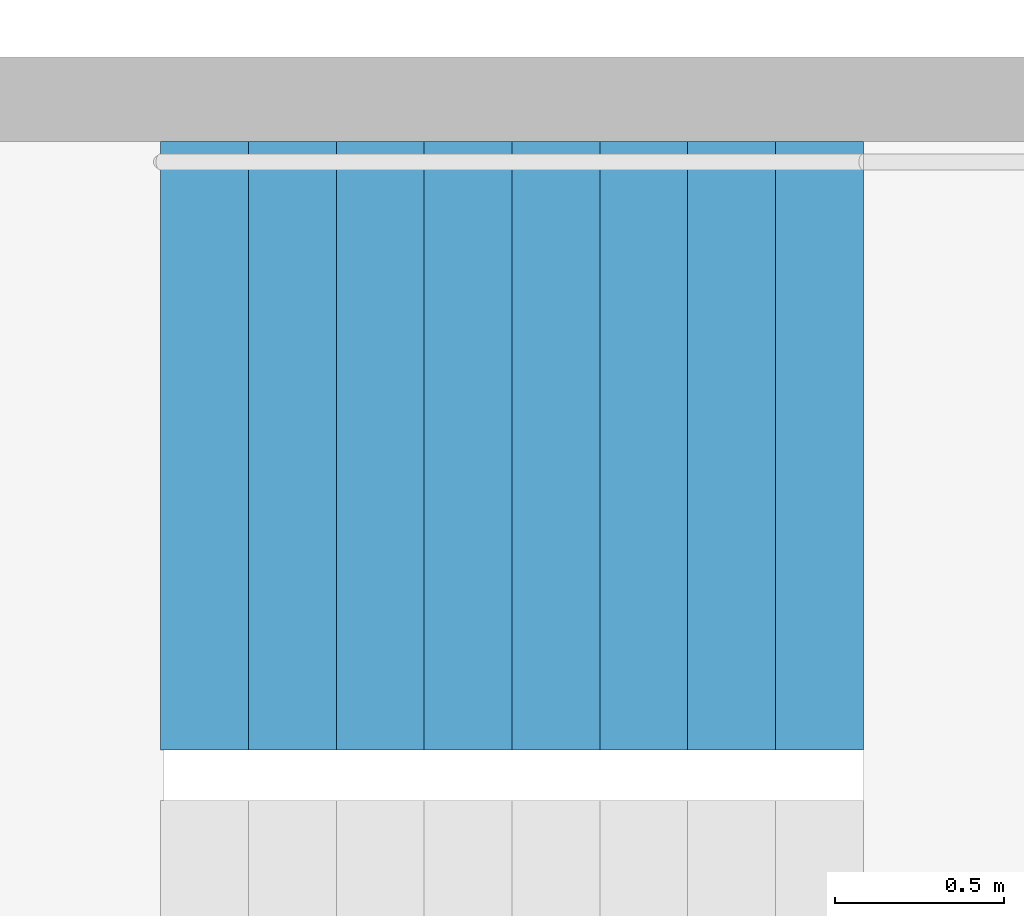
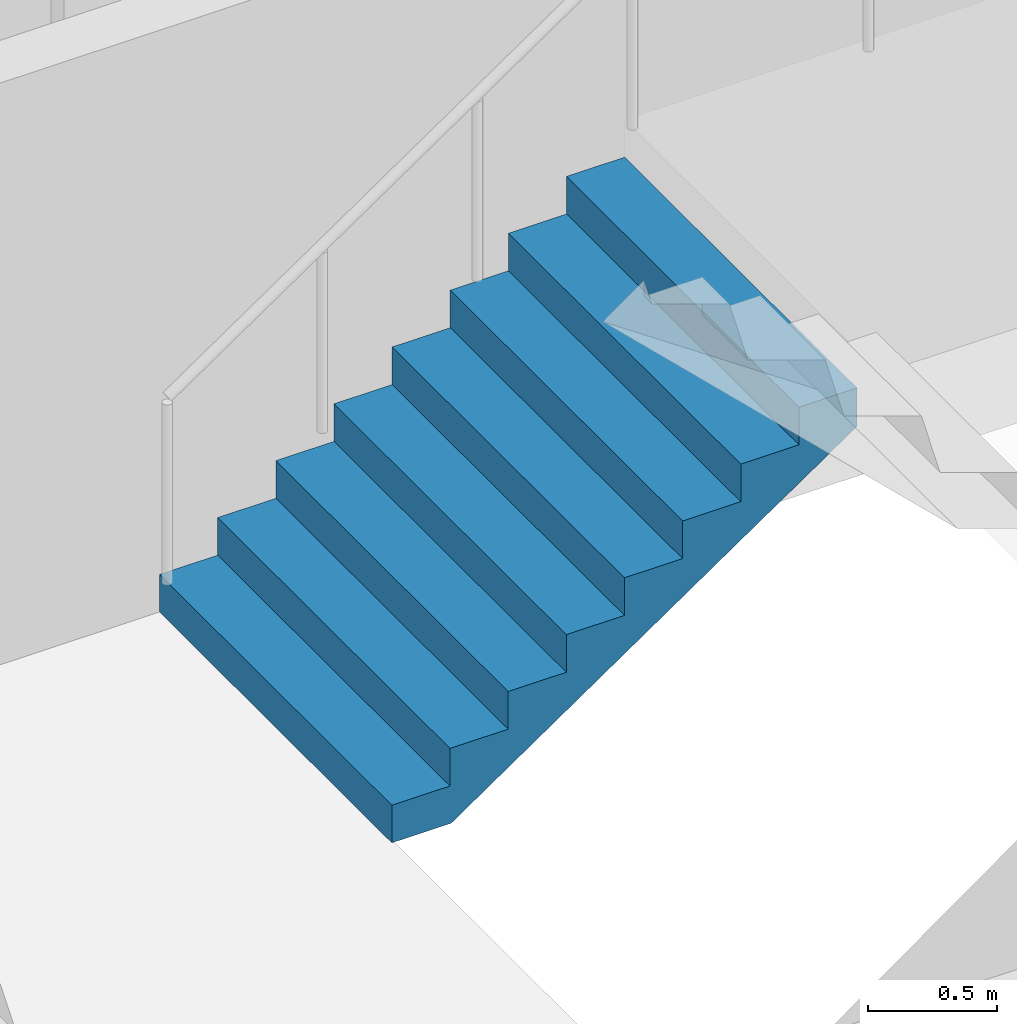
# One storey, part 23 of 26: 1 stair flight, 1 element without a shape of its own.
"""IFC4 building model written with IfcOpenShell, lengths in metres."""

from ifc_helpers import new_model, si_unit, direction, frame, origin, place, context, subcontext, project, spatial, triangles, material, type_object, element, aggregate, save


model = new_model("IFC4")

# Units and contexts
model_context = context("Model", 3, precision=1e-05, world=origin(), true_north=direction((0.0, 1.0)))
body_context = subcontext(model_context, "Body", "Model", "MODEL_VIEW")
ifc_project = project(units=[si_unit("LENGTHUNIT", "METRE"), si_unit("AREAUNIT", "SQUARE_METRE"), si_unit("VOLUMEUNIT", "CUBIC_METRE"), si_unit("PLANEANGLEUNIT", "RADIAN"), si_unit("MASSUNIT", "GRAM", prefix="KILO")], contexts=[model_context])

# Site, building, storey
site_placement = place(None, origin())
site = spatial("IfcSite", under=ifc_project, at=site_placement, CompositionType="ELEMENT")
building_placement = place(site_placement, origin())
building = spatial("IfcBuilding", under=site, at=building_placement, Name="Hakoniwa Tower and Hamabe Station Hall", CompositionType="ELEMENT")
storey_placement = place(building_placement, frame((0.0, 0.0, 221.800048828125)))
storey = spatial("IfcBuildingStorey", under=building, at=storey_placement, Name="L63", CompositionType="ELEMENT", Elevation=221.800048828125)

# Stair, stair flight
ifc_material_1 = material(Name="Concrete C40", Category="concrete")
stair_type = type_object("IfcStairType", Name="ESCAPE STAIR 1800", PredefinedType="HALF_TURN_STAIR", material=ifc_material_1)
stair_placement = place(storey_placement, origin())
stair = element("IfcStair", 1, at=stair_placement, inside=storey, type_object=stair_type, Name="Escape stair ST-4 L63", PredefinedType="HALF_TURN_STAIR")
ifc_material_2 = material(Name="Concrete C40", Category="concrete")
stair_flight_type = type_object("IfcStairFlightType", Name="STAIR FLIGHT 1800", PredefinedType="STRAIGHT", material=ifc_material_2)
stair_flight_placement = place(storey_placement, frame((23.39990234375, -4.64990234375, 0.0), z_axis=(0.0, 0.0, 1.0), x_axis=(1.0, 0.0, 0.0)))
stair_flight = element("IfcStairFlight", 2, at=stair_flight_placement, type_object=stair_flight_type, Name="ST-4 flight 1", NumberOfRisers=9, NumberOfTreads=8, PredefinedType="STRAIGHT", RiserHeight=0.177777778, TreadLength=0.26, context=body_context, shape_type="Tessellation", body=[
    triangles([(0.0, 0.89990234375, 0.0), (0.260009765625, 0.89990234375, 0.0), (0.265625, 0.89990234375, 0.0), (0.52001953125, 0.89990234375, 0.174072265625), (0.780029296875, 0.89990234375, 0.351806640625), (1.0400390625, 0.89990234375, 0.529541015625), (1.300048828125, 0.89990234375, 0.707275390625), (1.56005859375, 0.89990234375, 0.885009765625), (1.820068359375, 0.89990234375, 1.062744140625), (2.080078125, 0.89990234375, 1.24072265625), (2.080078125, 0.89990234375, 1.422119140625), (1.820068359375, 0.89990234375, 1.422119140625), (1.820068359375, 0.89990234375, 1.244384765625), (1.56005859375, 0.89990234375, 1.244384765625), (1.56005859375, 0.89990234375, 1.066650390625), (1.300048828125, 0.89990234375, 1.066650390625), (1.300048828125, 0.89990234375, 0.888916015625), (1.0400390625, 0.89990234375, 0.888916015625), (1.0400390625, 0.89990234375, 0.711181640625), (0.780029296875, 0.89990234375, 0.711181640625), (0.780029296875, 0.89990234375, 0.533447265625), (0.52001953125, 0.89990234375, 0.533447265625), (0.52001953125, 0.89990234375, 0.35546875), (0.265625, 0.89990234375, 0.35546875), (0.260009765625, 0.89990234375, 0.35546875), (0.260009765625, 0.89990234375, 0.177734375), (0.0, 0.89990234375, 0.177734375), (0.0, 0.06005859375, 0.0), (0.260009765625, 0.06005859375, 0.0), (0.265625, 0.06005859375, 0.0), (0.52001953125, 0.06005859375, 0.174072265625), (0.780029296875, 0.06005859375, 0.351806640625), (1.0400390625, 0.06005859375, 0.529541015625), (1.300048828125, 0.06005859375, 0.707275390625), (1.56005859375, 0.06005859375, 0.885009765625), (1.820068359375, 0.06005859375, 1.062744140625), (2.080078125, 0.06005859375, 1.24072265625), (2.080078125, 0.06005859375, 1.422119140625), (1.820068359375, 0.06005859375, 1.422119140625), (1.820068359375, 0.06005859375, 1.244384765625), (1.56005859375, 0.06005859375, 1.244384765625), (1.56005859375, 0.06005859375, 1.066650390625), (1.300048828125, 0.06005859375, 1.066650390625), (1.300048828125, 0.06005859375, 0.888916015625), (1.0400390625, 0.06005859375, 0.888916015625), (1.0400390625, 0.06005859375, 0.711181640625), (0.780029296875, 0.06005859375, 0.711181640625), (0.780029296875, 0.06005859375, 0.533447265625), (0.52001953125, 0.06005859375, 0.533447265625), (0.52001953125, 0.06005859375, 0.35546875), (0.265625, 0.06005859375, 0.35546875), (0.260009765625, 0.06005859375, 0.35546875), (0.260009765625, 0.06005859375, 0.177734375), (0.0, 0.06005859375, 0.177734375), (0.0, 0.04296875, 0.0), (0.260009765625, 0.04296875, 0.0), (0.265625, 0.04296875, 0.0), (0.52001953125, 0.04296875, 0.174072265625), (0.780029296875, 0.04296875, 0.351806640625), (1.0400390625, 0.04296875, 0.529541015625), (1.300048828125, 0.04296875, 0.707275390625), (1.56005859375, 0.04296875, 0.885009765625), (1.820068359375, 0.04296875, 1.062744140625), (2.080078125, 0.04296875, 1.24072265625), (2.080078125, 0.04296875, 1.422119140625), (1.820068359375, 0.04296875, 1.422119140625), (1.820068359375, 0.04296875, 1.244384765625), (1.56005859375, 0.04296875, 1.244384765625), (1.56005859375, 0.04296875, 1.066650390625), (1.300048828125, 0.04296875, 1.066650390625), (1.300048828125, 0.04296875, 0.888916015625), (1.0400390625, 0.04296875, 0.888916015625), (1.0400390625, 0.04296875, 0.711181640625), (0.780029296875, 0.04296875, 0.711181640625), (0.780029296875, 0.04296875, 0.533447265625), (0.52001953125, 0.04296875, 0.533447265625), (0.52001953125, 0.04296875, 0.35546875), (0.265625, 0.04296875, 0.35546875), (0.260009765625, 0.04296875, 0.35546875), (0.260009765625, 0.04296875, 0.177734375), (0.0, 0.04296875, 0.177734375), (0.0, 0.025634765625, 0.0), (0.260009765625, 0.025634765625, 0.0), (0.265625, 0.025634765625, 0.0), (0.52001953125, 0.025634765625, 0.174072265625), (0.780029296875, 0.025634765625, 0.351806640625), (1.0400390625, 0.025634765625, 0.529541015625), (1.300048828125, 0.025634765625, 0.707275390625), (1.56005859375, 0.025634765625, 0.885009765625), (1.820068359375, 0.025634765625, 1.062744140625), (2.080078125, 0.025634765625, 1.24072265625), (2.080078125, 0.025634765625, 1.422119140625), (1.820068359375, 0.025634765625, 1.422119140625), (1.820068359375, 0.025634765625, 1.244384765625), (1.56005859375, 0.025634765625, 1.244384765625), (1.56005859375, 0.025634765625, 1.066650390625), (1.300048828125, 0.025634765625, 1.066650390625), (1.300048828125, 0.025634765625, 0.888916015625), (1.0400390625, 0.025634765625, 0.888916015625), (1.0400390625, 0.025634765625, 0.711181640625), (0.780029296875, 0.025634765625, 0.711181640625), (0.780029296875, 0.025634765625, 0.533447265625), (0.52001953125, 0.025634765625, 0.533447265625), (0.52001953125, 0.025634765625, 0.35546875), (0.265625, 0.025634765625, 0.35546875), (0.260009765625, 0.025634765625, 0.35546875), (0.260009765625, 0.025634765625, 0.177734375), (0.0, 0.025634765625, 0.177734375), (0.0, 0.008544921875, 0.0), (0.260009765625, 0.008544921875, 0.0), (0.265625, 0.008544921875, 0.0), (0.52001953125, 0.008544921875, 0.174072265625), (0.780029296875, 0.008544921875, 0.351806640625), (1.0400390625, 0.008544921875, 0.529541015625), (1.300048828125, 0.008544921875, 0.707275390625), (1.56005859375, 0.008544921875, 0.885009765625), (1.820068359375, 0.008544921875, 1.062744140625), (2.080078125, 0.008544921875, 1.24072265625), (2.080078125, 0.008544921875, 1.422119140625), (1.820068359375, 0.008544921875, 1.422119140625), (1.820068359375, 0.008544921875, 1.244384765625), (1.56005859375, 0.008544921875, 1.244384765625), (1.56005859375, 0.008544921875, 1.066650390625), (1.300048828125, 0.008544921875, 1.066650390625), (1.300048828125, 0.008544921875, 0.888916015625), (1.0400390625, 0.008544921875, 0.888916015625), (1.0400390625, 0.008544921875, 0.711181640625), (0.780029296875, 0.008544921875, 0.711181640625), (0.780029296875, 0.008544921875, 0.533447265625), (0.52001953125, 0.008544921875, 0.533447265625), (0.52001953125, 0.008544921875, 0.35546875), (0.265625, 0.008544921875, 0.35546875), (0.260009765625, 0.008544921875, 0.35546875), (0.260009765625, 0.008544921875, 0.177734375), (0.0, 0.008544921875, 0.177734375), (0.0, -0.008544921875, 0.0), (0.260009765625, -0.008544921875, 0.0), (0.265625, -0.008544921875, 0.0), (0.52001953125, -0.008544921875, 0.174072265625), (0.780029296875, -0.008544921875, 0.351806640625), (1.0400390625, -0.008544921875, 0.529541015625), (1.300048828125, -0.008544921875, 0.707275390625), (1.56005859375, -0.008544921875, 0.885009765625), (1.820068359375, -0.008544921875, 1.062744140625), (2.080078125, -0.008544921875, 1.24072265625), (2.080078125, -0.008544921875, 1.422119140625), (1.820068359375, -0.008544921875, 1.422119140625), (1.820068359375, -0.008544921875, 1.244384765625), (1.56005859375, -0.008544921875, 1.244384765625), (1.56005859375, -0.008544921875, 1.066650390625), (1.300048828125, -0.008544921875, 1.066650390625), (1.300048828125, -0.008544921875, 0.888916015625), (1.0400390625, -0.008544921875, 0.888916015625), (1.0400390625, -0.008544921875, 0.711181640625), (0.780029296875, -0.008544921875, 0.711181640625), (0.780029296875, -0.008544921875, 0.533447265625), (0.52001953125, -0.008544921875, 0.533447265625), (0.52001953125, -0.008544921875, 0.35546875), (0.265625, -0.008544921875, 0.35546875), (0.260009765625, -0.008544921875, 0.35546875), (0.260009765625, -0.008544921875, 0.177734375), (0.0, -0.008544921875, 0.177734375), (0.0, -0.025634765625, 0.0), (0.260009765625, -0.025634765625, 0.0), (0.265625, -0.025634765625, 0.0), (0.52001953125, -0.025634765625, 0.174072265625), (0.780029296875, -0.025634765625, 0.351806640625), (1.0400390625, -0.025634765625, 0.529541015625), (1.300048828125, -0.025634765625, 0.707275390625), (1.56005859375, -0.025634765625, 0.885009765625), (1.820068359375, -0.025634765625, 1.062744140625), (2.080078125, -0.025634765625, 1.24072265625), (2.080078125, -0.025634765625, 1.422119140625), (1.820068359375, -0.025634765625, 1.422119140625), (1.820068359375, -0.025634765625, 1.244384765625), (1.56005859375, -0.025634765625, 1.244384765625), (1.56005859375, -0.025634765625, 1.066650390625), (1.300048828125, -0.025634765625, 1.066650390625), (1.300048828125, -0.025634765625, 0.888916015625), (1.0400390625, -0.025634765625, 0.888916015625), (1.0400390625, -0.025634765625, 0.711181640625), (0.780029296875, -0.025634765625, 0.711181640625), (0.780029296875, -0.025634765625, 0.533447265625), (0.52001953125, -0.025634765625, 0.533447265625), (0.52001953125, -0.025634765625, 0.35546875), (0.265625, -0.025634765625, 0.35546875), (0.260009765625, -0.025634765625, 0.35546875), (0.260009765625, -0.025634765625, 0.177734375), (0.0, -0.025634765625, 0.177734375), (0.0, -0.04296875, 0.0), (0.260009765625, -0.04296875, 0.0), (0.265625, -0.04296875, 0.0), (0.52001953125, -0.04296875, 0.174072265625), (0.780029296875, -0.04296875, 0.351806640625), (1.0400390625, -0.04296875, 0.529541015625), (1.300048828125, -0.04296875, 0.707275390625), (1.56005859375, -0.04296875, 0.885009765625), (1.820068359375, -0.04296875, 1.062744140625), (2.080078125, -0.04296875, 1.24072265625), (2.080078125, -0.04296875, 1.422119140625), (1.820068359375, -0.04296875, 1.422119140625), (1.820068359375, -0.04296875, 1.244384765625), (1.56005859375, -0.04296875, 1.244384765625), (1.56005859375, -0.04296875, 1.066650390625), (1.300048828125, -0.04296875, 1.066650390625), (1.300048828125, -0.04296875, 0.888916015625), (1.0400390625, -0.04296875, 0.888916015625), (1.0400390625, -0.04296875, 0.711181640625), (0.780029296875, -0.04296875, 0.711181640625), (0.780029296875, -0.04296875, 0.533447265625), (0.52001953125, -0.04296875, 0.533447265625), (0.52001953125, -0.04296875, 0.35546875), (0.265625, -0.04296875, 0.35546875), (0.260009765625, -0.04296875, 0.35546875), (0.260009765625, -0.04296875, 0.177734375), (0.0, -0.04296875, 0.177734375), (0.0, -0.06005859375, 0.0), (0.260009765625, -0.06005859375, 0.0), (0.265625, -0.06005859375, 0.0), (0.52001953125, -0.06005859375, 0.174072265625), (0.780029296875, -0.06005859375, 0.351806640625), (1.0400390625, -0.06005859375, 0.529541015625), (1.300048828125, -0.06005859375, 0.707275390625), (1.56005859375, -0.06005859375, 0.885009765625), (1.820068359375, -0.06005859375, 1.062744140625), (2.080078125, -0.06005859375, 1.24072265625), (2.080078125, -0.06005859375, 1.422119140625), (1.820068359375, -0.06005859375, 1.422119140625), (1.820068359375, -0.06005859375, 1.244384765625), (1.56005859375, -0.06005859375, 1.244384765625), (1.56005859375, -0.06005859375, 1.066650390625), (1.300048828125, -0.06005859375, 1.066650390625), (1.300048828125, -0.06005859375, 0.888916015625), (1.0400390625, -0.06005859375, 0.888916015625), (1.0400390625, -0.06005859375, 0.711181640625), (0.780029296875, -0.06005859375, 0.711181640625), (0.780029296875, -0.06005859375, 0.533447265625), (0.52001953125, -0.06005859375, 0.533447265625), (0.52001953125, -0.06005859375, 0.35546875), (0.265625, -0.06005859375, 0.35546875), (0.260009765625, -0.06005859375, 0.35546875), (0.260009765625, -0.06005859375, 0.177734375), (0.0, -0.06005859375, 0.177734375), (0.0, -0.89990234375, 0.0), (0.260009765625, -0.89990234375, 0.0), (0.265625, -0.89990234375, 0.0), (0.52001953125, -0.89990234375, 0.174072265625), (0.780029296875, -0.89990234375, 0.351806640625), (1.0400390625, -0.89990234375, 0.529541015625), (1.300048828125, -0.89990234375, 0.707275390625), (1.56005859375, -0.89990234375, 0.885009765625), (1.820068359375, -0.89990234375, 1.062744140625), (2.080078125, -0.89990234375, 1.24072265625), (2.080078125, -0.89990234375, 1.422119140625), (1.820068359375, -0.89990234375, 1.422119140625), (1.820068359375, -0.89990234375, 1.244384765625), (1.56005859375, -0.89990234375, 1.244384765625), (1.56005859375, -0.89990234375, 1.066650390625), (1.300048828125, -0.89990234375, 1.066650390625), (1.300048828125, -0.89990234375, 0.888916015625), (1.0400390625, -0.89990234375, 0.888916015625), (1.0400390625, -0.89990234375, 0.711181640625), (0.780029296875, -0.89990234375, 0.711181640625), (0.780029296875, -0.89990234375, 0.533447265625), (0.52001953125, -0.89990234375, 0.533447265625), (0.52001953125, -0.89990234375, 0.35546875), (0.265625, -0.89990234375, 0.35546875), (0.260009765625, -0.89990234375, 0.35546875), (0.260009765625, -0.89990234375, 0.177734375), (0.0, -0.89990234375, 0.177734375)], [[2, 27, 26], [245, 269, 270], [2, 1, 27], [245, 270, 244], [3, 25, 24], [246, 267, 268], [3, 26, 25], [246, 268, 269], [3, 2, 26], [246, 269, 245], [4, 24, 23], [247, 266, 267], [4, 3, 24], [247, 267, 246], [5, 22, 21], [248, 264, 265], [5, 23, 22], [248, 265, 266], [5, 4, 23], [248, 266, 247], [6, 20, 19], [249, 262, 263], [6, 21, 20], [249, 263, 264], [6, 5, 21], [249, 264, 248], [7, 18, 17], [250, 260, 261], [7, 19, 18], [250, 261, 262], [7, 6, 19], [250, 262, 249], [8, 16, 15], [251, 258, 259], [8, 17, 16], [251, 259, 260], [8, 7, 17], [251, 260, 250], [9, 14, 13], [252, 256, 257], [9, 15, 14], [252, 257, 258], [9, 8, 15], [252, 258, 251], [10, 12, 11], [253, 254, 255], [10, 13, 12], [253, 255, 256], [10, 9, 13], [253, 256, 252], [1, 2, 29], [1, 29, 28], [28, 29, 56], [28, 56, 55], [55, 56, 83], [55, 83, 82], [82, 83, 110], [82, 110, 109], [109, 110, 137], [109, 137, 136], [136, 137, 164], [136, 164, 163], [163, 164, 191], [163, 191, 190], [190, 191, 218], [190, 218, 217], [217, 218, 245], [217, 245, 244], [2, 3, 30], [2, 30, 29], [29, 30, 57], [29, 57, 56], [56, 57, 84], [56, 84, 83], [83, 84, 111], [83, 111, 110], [110, 111, 138], [110, 138, 137], [137, 138, 165], [137, 165, 164], [164, 165, 192], [164, 192, 191], [191, 192, 219], [191, 219, 218], [218, 219, 246], [218, 246, 245], [3, 4, 31], [3, 31, 30], [30, 31, 58], [30, 58, 57], [57, 58, 85], [57, 85, 84], [84, 85, 112], [84, 112, 111], [111, 112, 139], [111, 139, 138], [138, 139, 166], [138, 166, 165], [165, 166, 193], [165, 193, 192], [192, 193, 220], [192, 220, 219], [219, 220, 247], [219, 247, 246], [4, 5, 32], [4, 32, 31], [31, 32, 59], [31, 59, 58], [58, 59, 86], [58, 86, 85], [85, 86, 113], [85, 113, 112], [112, 113, 140], [112, 140, 139], [139, 140, 167], [139, 167, 166], [166, 167, 194], [166, 194, 193], [193, 194, 221], [193, 221, 220], [220, 221, 248], [220, 248, 247], [5, 6, 33], [5, 33, 32], [32, 33, 60], [32, 60, 59], [59, 60, 87], [59, 87, 86], [86, 87, 114], [86, 114, 113], [113, 114, 141], [113, 141, 140], [140, 141, 168], [140, 168, 167], [167, 168, 195], [167, 195, 194], [194, 195, 222], [194, 222, 221], [221, 222, 249], [221, 249, 248], [6, 7, 34], [6, 34, 33], [33, 34, 61], [33, 61, 60], [60, 61, 88], [60, 88, 87], [87, 88, 115], [87, 115, 114], [114, 115, 142], [114, 142, 141], [141, 142, 169], [141, 169, 168], [168, 169, 196], [168, 196, 195], [195, 196, 223], [195, 223, 222], [222, 223, 250], [222, 250, 249], [7, 8, 35], [7, 35, 34], [34, 35, 62], [34, 62, 61], [61, 62, 89], [61, 89, 88], [88, 89, 116], [88, 116, 115], [115, 116, 143], [115, 143, 142], [142, 143, 170], [142, 170, 169], [169, 170, 197], [169, 197, 196], [196, 197, 224], [196, 224, 223], [223, 224, 251], [223, 251, 250], [8, 9, 36], [8, 36, 35], [35, 36, 63], [35, 63, 62], [62, 63, 90], [62, 90, 89], [89, 90, 117], [89, 117, 116], [116, 117, 144], [116, 144, 143], [143, 144, 171], [143, 171, 170], [170, 171, 198], [170, 198, 197], [197, 198, 225], [197, 225, 224], [224, 225, 252], [224, 252, 251], [9, 10, 37], [9, 37, 36], [36, 37, 64], [36, 64, 63], [63, 64, 91], [63, 91, 90], [90, 91, 118], [90, 118, 117], [117, 118, 145], [117, 145, 144], [144, 145, 172], [144, 172, 171], [171, 172, 199], [171, 199, 198], [198, 199, 226], [198, 226, 225], [225, 226, 253], [225, 253, 252], [10, 11, 38], [10, 38, 37], [37, 38, 65], [37, 65, 64], [64, 65, 92], [64, 92, 91], [91, 92, 119], [91, 119, 118], [118, 119, 146], [118, 146, 145], [145, 146, 173], [145, 173, 172], [172, 173, 200], [172, 200, 199], [199, 200, 227], [199, 227, 226], [226, 227, 254], [226, 254, 253], [11, 12, 39], [11, 39, 38], [38, 39, 66], [38, 66, 65], [65, 66, 93], [65, 93, 92], [92, 93, 120], [92, 120, 119], [119, 120, 147], [119, 147, 146], [146, 147, 174], [146, 174, 173], [173, 174, 201], [173, 201, 200], [200, 201, 228], [200, 228, 227], [227, 228, 255], [227, 255, 254], [12, 13, 40], [12, 40, 39], [39, 40, 67], [39, 67, 66], [66, 67, 94], [66, 94, 93], [93, 94, 121], [93, 121, 120], [120, 121, 148], [120, 148, 147], [147, 148, 175], [147, 175, 174], [174, 175, 202], [174, 202, 201], [201, 202, 229], [201, 229, 228], [228, 229, 256], [228, 256, 255], [13, 14, 41], [13, 41, 40], [40, 41, 68], [40, 68, 67], [67, 68, 95], [67, 95, 94], [94, 95, 122], [94, 122, 121], [121, 122, 149], [121, 149, 148], [148, 149, 176], [148, 176, 175], [175, 176, 203], [175, 203, 202], [202, 203, 230], [202, 230, 229], [229, 230, 257], [229, 257, 256], [14, 15, 42], [14, 42, 41], [41, 42, 69], [41, 69, 68], [68, 69, 96], [68, 96, 95], [95, 96, 123], [95, 123, 122], [122, 123, 150], [122, 150, 149], [149, 150, 177], [149, 177, 176], [176, 177, 204], [176, 204, 203], [203, 204, 231], [203, 231, 230], [230, 231, 258], [230, 258, 257], [15, 16, 43], [15, 43, 42], [42, 43, 70], [42, 70, 69], [69, 70, 97], [69, 97, 96], [96, 97, 124], [96, 124, 123], [123, 124, 151], [123, 151, 150], [150, 151, 178], [150, 178, 177], [177, 178, 205], [177, 205, 204], [204, 205, 232], [204, 232, 231], [231, 232, 259], [231, 259, 258], [16, 17, 44], [16, 44, 43], [43, 44, 71], [43, 71, 70], [70, 71, 98], [70, 98, 97], [97, 98, 125], [97, 125, 124], [124, 125, 152], [124, 152, 151], [151, 152, 179], [151, 179, 178], [178, 179, 206], [178, 206, 205], [205, 206, 233], [205, 233, 232], [232, 233, 260], [232, 260, 259], [17, 18, 45], [17, 45, 44], [44, 45, 72], [44, 72, 71], [71, 72, 99], [71, 99, 98], [98, 99, 126], [98, 126, 125], [125, 126, 153], [125, 153, 152], [152, 153, 180], [152, 180, 179], [179, 180, 207], [179, 207, 206], [206, 207, 234], [206, 234, 233], [233, 234, 261], [233, 261, 260], [18, 19, 46], [18, 46, 45], [45, 46, 73], [45, 73, 72], [72, 73, 100], [72, 100, 99], [99, 100, 127], [99, 127, 126], [126, 127, 154], [126, 154, 153], [153, 154, 181], [153, 181, 180], [180, 181, 208], [180, 208, 207], [207, 208, 235], [207, 235, 234], [234, 235, 262], [234, 262, 261], [19, 20, 47], [19, 47, 46], [46, 47, 74], [46, 74, 73], [73, 74, 101], [73, 101, 100], [100, 101, 128], [100, 128, 127], [127, 128, 155], [127, 155, 154], [154, 155, 182], [154, 182, 181], [181, 182, 209], [181, 209, 208], [208, 209, 236], [208, 236, 235], [235, 236, 263], [235, 263, 262], [20, 21, 48], [20, 48, 47], [47, 48, 75], [47, 75, 74], [74, 75, 102], [74, 102, 101], [101, 102, 129], [101, 129, 128], [128, 129, 156], [128, 156, 155], [155, 156, 183], [155, 183, 182], [182, 183, 210], [182, 210, 209], [209, 210, 237], [209, 237, 236], [236, 237, 264], [236, 264, 263], [21, 22, 49], [21, 49, 48], [48, 49, 76], [48, 76, 75], [75, 76, 103], [75, 103, 102], [102, 103, 130], [102, 130, 129], [129, 130, 157], [129, 157, 156], [156, 157, 184], [156, 184, 183], [183, 184, 211], [183, 211, 210], [210, 211, 238], [210, 238, 237], [237, 238, 265], [237, 265, 264], [22, 23, 50], [22, 50, 49], [49, 50, 77], [49, 77, 76], [76, 77, 104], [76, 104, 103], [103, 104, 131], [103, 131, 130], [130, 131, 158], [130, 158, 157], [157, 158, 185], [157, 185, 184], [184, 185, 212], [184, 212, 211], [211, 212, 239], [211, 239, 238], [238, 239, 266], [238, 266, 265], [23, 24, 51], [23, 51, 50], [50, 51, 78], [50, 78, 77], [77, 78, 105], [77, 105, 104], [104, 105, 132], [104, 132, 131], [131, 132, 159], [131, 159, 158], [158, 159, 186], [158, 186, 185], [185, 186, 213], [185, 213, 212], [212, 213, 240], [212, 240, 239], [239, 240, 267], [239, 267, 266], [24, 25, 52], [24, 52, 51], [51, 52, 79], [51, 79, 78], [78, 79, 106], [78, 106, 105], [105, 106, 133], [105, 133, 132], [132, 133, 160], [132, 160, 159], [159, 160, 187], [159, 187, 186], [186, 187, 214], [186, 214, 213], [213, 214, 241], [213, 241, 240], [240, 241, 268], [240, 268, 267], [25, 26, 53], [25, 53, 52], [52, 53, 80], [52, 80, 79], [79, 80, 107], [79, 107, 106], [106, 107, 134], [106, 134, 133], [133, 134, 161], [133, 161, 160], [160, 161, 188], [160, 188, 187], [187, 188, 215], [187, 215, 214], [214, 215, 242], [214, 242, 241], [241, 242, 269], [241, 269, 268], [26, 27, 54], [26, 54, 53], [53, 54, 81], [53, 81, 80], [80, 81, 108], [80, 108, 107], [107, 108, 135], [107, 135, 134], [134, 135, 162], [134, 162, 161], [161, 162, 189], [161, 189, 188], [188, 189, 216], [188, 216, 215], [215, 216, 243], [215, 243, 242], [242, 243, 270], [242, 270, 269], [27, 1, 28], [27, 28, 54], [54, 28, 55], [54, 55, 81], [81, 55, 82], [81, 82, 108], [108, 82, 109], [108, 109, 135], [135, 109, 136], [135, 136, 162], [162, 136, 163], [162, 163, 189], [189, 163, 190], [189, 190, 216], [216, 190, 217], [216, 217, 243], [243, 217, 244], [243, 244, 270]], closed=True),
])
aggregate(stair, [stair_flight])

save(model, "model.ifc")
